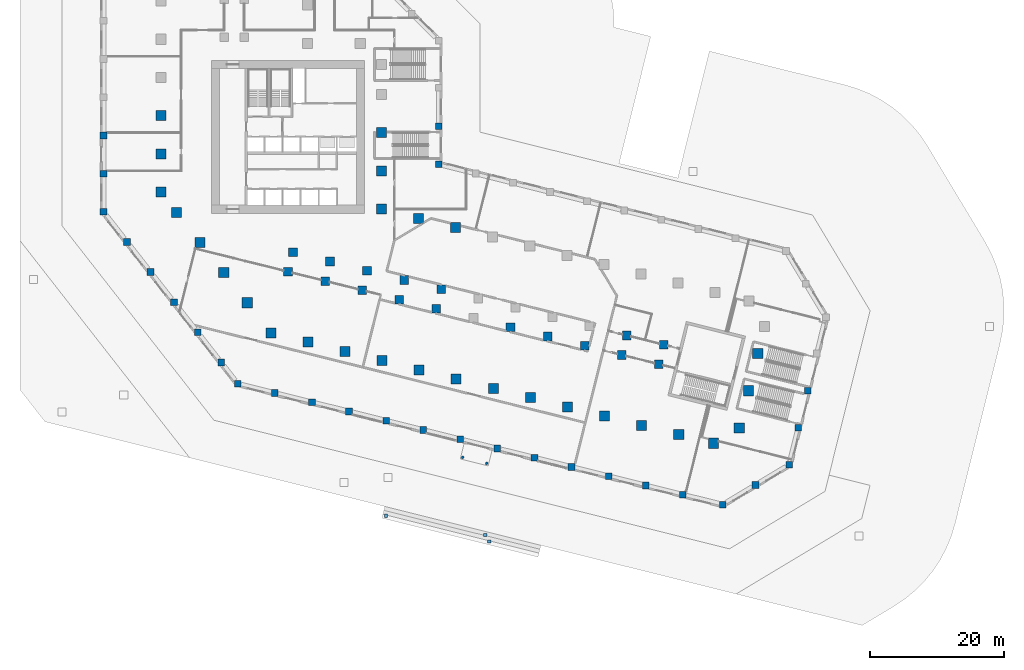
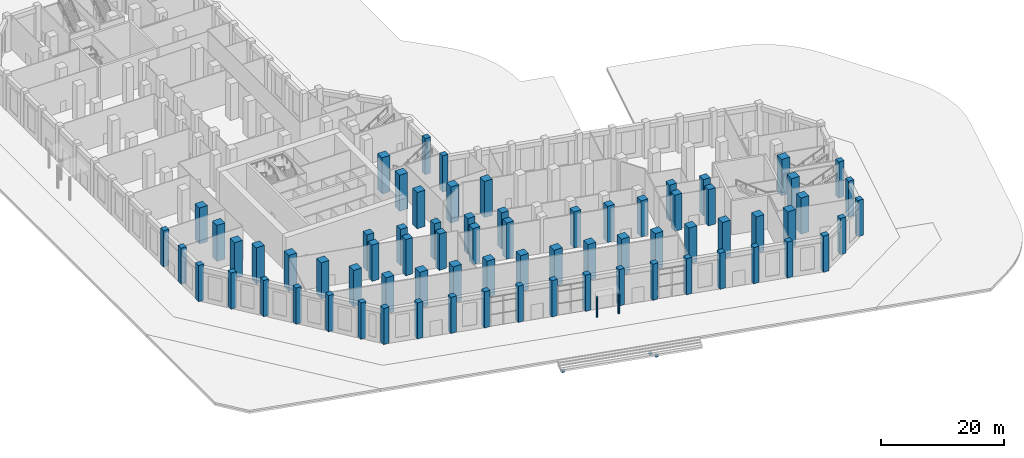
# One storey, part 2 of 27: 75 columns, 3 footings.
"""IFC4 building model written with IfcOpenShell, lengths in metres."""

from ifc_helpers import new_model, si_unit, direction, frame, origin, origin_2d, place, context, subcontext, project, spatial, polyline, rectangle, circle, outline, extrude, material, layer, layer_set, material_profile, profile_set, type_object, element, save


model = new_model("IFC4")

# Units and contexts
model_context = context("Model", 3, precision=1e-05, world=origin(), true_north=direction((0.0, 1.0)))
body_context = subcontext(model_context, "Body", "Model", "MODEL_VIEW")
ifc_project = project(units=[si_unit("LENGTHUNIT", "METRE"), si_unit("AREAUNIT", "SQUARE_METRE"), si_unit("VOLUMEUNIT", "CUBIC_METRE"), si_unit("PLANEANGLEUNIT", "RADIAN"), si_unit("MASSUNIT", "GRAM", prefix="KILO")], contexts=[model_context])

# Site, building, storey
site_placement = place(None, origin())
site = spatial("IfcSite", under=ifc_project, at=site_placement, CompositionType="ELEMENT")
building_placement = place(site_placement, origin())
building = spatial("IfcBuilding", under=site, at=building_placement, Name="Meshkara Civic Tower", CompositionType="ELEMENT")
storey_placement = place(building_placement, origin())
storey = spatial("IfcBuildingStorey", under=building, at=storey_placement, Name="L00", CompositionType="ELEMENT", Elevation=0.0)

# Footings
ifc_material_1 = material(Name="Concrete C40", Category="concrete")
ifc_layer = layer(ifc_material_1, 0.39990234375)
ifc_layer_set = layer_set([ifc_layer], Name="GROUND FOOTING PAD 400")
footing_type = type_object("IfcFootingType", Name="GROUND FOOTING PAD 400", PredefinedType="PAD_FOOTING", material=ifc_layer_set)
footing_1_placement = place(storey_placement, frame((0.0, 0.0, -1.64990234375)))
element("IfcFooting", 1, at=footing_1_placement, inside=storey, type_object=footing_type, Name="Waterside steps footing", PredefinedType="PAD_FOOTING", context=body_context, shape_type="SweptSolid", body=[
    extrude(outline(polyline([(33.773193359375, -31.251953125), (34.273193359375, -31.251953125), (34.273193359375, -30.751953125), (33.773193359375, -30.751953125), (33.773193359375, -31.251953125)])), origin(), (0.0, 0.0, 1.0), 0.39990234375),
])
footing_2_placement = place(storey_placement, frame((0.0, 0.0, -1.64990234375)))
element("IfcFooting", 2, at=footing_2_placement, inside=storey, type_object=footing_type, Name="Waterside steps footing", PredefinedType="PAD_FOOTING", context=body_context, shape_type="SweptSolid", body=[
    extrude(outline(polyline([(48.585693359375, -34.12060546875), (49.085693359375, -34.12060546875), (49.085693359375, -33.62060546875), (48.585693359375, -33.62060546875), (48.585693359375, -34.12060546875)])), origin(), (0.0, 0.0, 1.0), 0.39990234375),
])
footing_3_placement = place(storey_placement, frame((0.0, 0.0, -1.64990234375)))
element("IfcFooting", 3, at=footing_3_placement, inside=storey, type_object=footing_type, Name="Waterside steps footing", PredefinedType="PAD_FOOTING", context=body_context, shape_type="SweptSolid", body=[
    extrude(outline(polyline([(49.16845703125, -35.09033203125), (49.66845703125, -35.09033203125), (49.66845703125, -34.59033203125), (49.16845703125, -34.59033203125), (49.16845703125, -35.09033203125)])), origin(), (0.0, 0.0, 1.0), 0.39990234375),
])

# Columns
ifc_material_2 = material(Name="Concrete C40/50", Category="concrete")
ifc_material_profile_1 = material_profile(ifc_material_2, circle(Radius=0.199951171875, at=origin_2d()))
ifc_profile_set_1 = profile_set([ifc_material_profile_1], Name="Concrete C40/50")
column_type_1 = type_object("IfcColumnType", Name="Canopy post RC D400 C40/50", PredefinedType="COLUMN", material=ifc_profile_set_1)
for number, where, z_axis, x_axis, name in (
    (4, (45.46923828125, -22.31298828125, 0.0), (0.0, 0.0, 1.0), (1.0, 0.0, 0.0), "Canopy post"),
    (5, (49.0478515625, -23.205078125, 0.0), (0.0, 0.0, 1.0), (1.0, 0.0, 0.0), "Canopy post"),
):
    element("IfcColumn", number, at=place(storey_placement, frame(where, z_axis=z_axis, x_axis=x_axis)), inside=storey, type_object=column_type_1, Name=name, PredefinedType="COLUMN", context=body_context, shape_type="SweptSolid", body=[
        extrude(circle(Radius=0.199951171875, at=origin_2d()), origin(), (0.0, 0.0, 1.0), 4.0),
    ])
ifc_material_3 = material(Name="Concrete C80", Category="concrete")
ifc_material_profile_2 = material_profile(ifc_material_3, rectangle(XDim=1.300048828125, YDim=1.300048828125, at=origin_2d()))
ifc_profile_set_2 = profile_set([ifc_material_profile_2], Name="Concrete C80")
column_type_2 = type_object("IfcColumnType", Name="Interior column RC 1300x1300 C80", PredefinedType="COLUMN", material=ifc_profile_set_2)
for number, where, z_axis, x_axis, name in (
    (6, (19.424072265625, 5.360107421875, 0.0), (0.0, 0.0, 1.0), (1.0, 0.0, 0.0), "Column SB1-00 L00"),
    (7, (24.9541015625, 3.98095703125, 0.0), (0.0, 0.0, 1.0), (1.0, 0.0, 0.0), "Column SB1-01 L00"),
    (8, (30.485107421875, 2.60205078125, 0.0), (0.0, 0.0, 1.0), (1.0, 0.0, 0.0), "Column SB1-02 L00"),
    (9, (36.01611328125, 1.222900390625, 0.0), (0.0, 0.0, 1.0), (1.0, 0.0, 0.0), "Column SB1-03 L00"),
    (10, (41.5458984375, -0.156005859375, 0.0), (0.0, 0.0, 1.0), (1.0, 0.0, 0.0), "Column SB1-04 L00"),
    (11, (52.60791015625, -2.9140625, 0.0), (0.0, 0.0, 1.0), (1.0, 0.0, 0.0), "Column SB1-06 L00"),
    (12, (58.138916015625, -4.2919921875, 0.0), (0.0, 0.0, 1.0), (1.0, 0.0, 0.0), "Column SB1-07 L00"),
    (13, (63.6689453125, -5.6708984375, 0.0), (0.0, 0.0, 1.0), (1.0, 0.0, 0.0), "Column SB1-08 L00"),
    (14, (69.199951171875, -7.050048828125, 0.0), (0.0, 0.0, 1.0), (1.0, 0.0, 0.0), "Column SB1-09 L00"),
    (15, (74.73095703125, -8.428955078125, 0.0), (0.0, 0.0, 1.0), (1.0, 0.0, 0.0), "Column SB1-10 L00"),
    (16, (20.14892578125, 8.27099609375, 0.0), (0.0, 0.0, 1.0), (1.0, 0.0, 0.0), "Column SB2-00 L00"),
    (17, (25.679931640625, 6.89208984375, 0.0), (0.0, 0.0, 1.0), (1.0, 0.0, 0.0), "Column SB2-01 L00"),
    (18, (31.2109375, 5.512939453125, 0.0), (0.0, 0.0, 1.0), (1.0, 0.0, 0.0), "Column SB2-02 L00"),
    (19, (36.741943359375, 4.134033203125, 0.0), (0.0, 0.0, 1.0), (1.0, 0.0, 0.0), "Column SB2-03 L00"),
    (20, (42.27197265625, 2.7548828125, 0.0), (0.0, 0.0, 1.0), (1.0, 0.0, 0.0), "Column SB2-04 L00"),
    (21, (69.926025390625, -4.139892578125, 0.0), (0.0, 0.0, 1.0), (1.0, 0.0, 0.0), "Column SB2-09 L00"),
    (22, (75.4560546875, -5.51806640625, 0.0), (0.0, 0.0, 1.0), (1.0, 0.0, 0.0), "Column SB2-10 L00"),
):
    element("IfcColumn", number, at=place(storey_placement, frame(where, z_axis=z_axis, x_axis=x_axis)), inside=storey, type_object=column_type_2, Name=name, PredefinedType="COLUMN", context=body_context, shape_type="SweptSolid", body=[
        extrude(rectangle(XDim=1.300048828125, YDim=1.300048828125, at=origin_2d()), origin(), (0.0, 0.0, 1.0), 7.199951171875),
    ])
ifc_material_4 = material(Name="Concrete C80", Category="concrete")
ifc_material_profile_3 = material_profile(ifc_material_4, rectangle(XDim=1.5, YDim=1.5, at=origin_2d()))
ifc_profile_set_3 = profile_set([ifc_material_profile_3], Name="Concrete C80")
column_type_3 = type_object("IfcColumnType", Name="Perimeter column RC 1500x1500 C80", PredefinedType="COLUMN", material=ifc_profile_set_3)
for number, where, z_axis, x_axis, name in (
    (23, (33.35009765625, 14.718994140625, 0.0), (0.0, 0.0, 1.0), (1.0, 0.0, 0.0), "Column HE00 L00"),
    (24, (33.35009765625, 20.4189453125, 0.0), (0.0, 0.0, 1.0), (1.0, 0.0, 0.0), "Column HE01 L00"),
    (25, (33.35009765625, 26.118896484375, 0.0), (0.0, 0.0, 1.0), (1.0, 0.0, 0.0), "Column HE02 L00"),
    (26, (0.449951171875, 17.2548828125, 0.0), (0.0, 0.0, 1.0), (1.0, 0.0, 0.0), "Column AW00 L00"),
    (27, (0.449951171875, 22.955078125, 0.0), (0.0, 0.0, 1.0), (1.0, 0.0, 0.0), "Column AW01 L00"),
    (28, (0.449951171875, 28.655029296875, 0.0), (0.0, 0.0, 1.0), (1.0, 0.0, 0.0), "Column AW02 L00"),
    (29, (16.85107421875, -3.738037109375, 0.0), (0.0, 0.0, 1.0), (1.0, 0.0, 0.0), "Column BOW00 L00"),
    (30, (13.342041015625, 0.75390625, 0.0), (0.0, 0.0, 1.0), (1.0, 0.0, 0.0), "Column BOW01 L00"),
    (31, (9.8330078125, 5.2451171875, 0.0), (0.0, 0.0, 1.0), (1.0, 0.0, 0.0), "Column BOW02 L00"),
    (32, (6.322998046875, 9.737060546875, 0.0), (0.0, 0.0, 1.0), (1.0, 0.0, 0.0), "Column BOW03 L00"),
    (33, (2.81396484375, 14.22900390625, 0.0), (0.0, 0.0, 1.0), (1.0, 0.0, 0.0), "Column BOW04 L00"),
    (34, (22.382080078125, -5.116943359375, 0.0), (0.0, 0.0, 1.0), (1.0, 0.0, 0.0), "Column BS01 L00"),
    (35, (27.912109375, -6.49609375, 0.0), (0.0, 0.0, 1.0), (1.0, 0.0, 0.0), "Column BS02 L00"),
    (36, (33.443115234375, -7.875, 0.0), (0.0, 0.0, 1.0), (1.0, 0.0, 0.0), "Column BS03 L00"),
    (37, (38.97412109375, -9.25390625, 0.0), (0.0, 0.0, 1.0), (1.0, 0.0, 0.0), "Column BS04 L00"),
    (38, (44.5048828125, -10.632080078125, 0.0), (0.0, 0.0, 1.0), (1.0, 0.0, 0.0), "Column BS05 L00"),
    (39, (50.034912109375, -12.010986328125, 0.0), (0.0, 0.0, 1.0), (1.0, 0.0, 0.0), "Column BS06 L00"),
    (40, (55.56591796875, -13.389892578125, 0.0), (0.0, 0.0, 1.0), (1.0, 0.0, 0.0), "Column BS07 L00"),
    (41, (61.096923828125, -14.76904296875, 0.0), (0.0, 0.0, 1.0), (1.0, 0.0, 0.0), "Column BS08 L00"),
    (42, (66.626953125, -16.14794921875, 0.0), (0.0, 0.0, 1.0), (1.0, 0.0, 0.0), "Column BS09 L00"),
    (43, (72.157958984375, -17.527099609375, 0.0), (0.0, 0.0, 1.0), (1.0, 0.0, 0.0), "Column BS10 L00"),
    (44, (77.68896484375, -18.906005859375, 0.0), (0.0, 0.0, 1.0), (1.0, 0.0, 0.0), "Column BS11 L00"),
    (45, (82.887939453125, -20.201904296875, 0.0), (0.0, 0.0, 1.0), (1.0, 0.0, 0.0), "Column BSE L00"),
    (46, (86.714111328125, -17.903076171875, 0.0), (0.0, 0.0, 1.0), (1.0, 0.0, 0.0), "Column BToE L00"),
    (47, (88.093017578125, -12.3720703125, 0.0), (0.0, 0.0, 1.0), (1.0, 0.0, 0.0), "Column BT01 L00"),
    (48, (89.471923828125, -6.842041015625, 0.0), (0.0, 0.0, 1.0), (1.0, 0.0, 0.0), "Column BT02 L00"),
    (49, (38.881103515625, 13.340087890625, 0.0), (0.0, 0.0, 1.0), (1.0, 0.0, 0.0), "Column BN01 L00"),
    (50, (44.410888671875, 11.9609375, 0.0), (0.0, 0.0, 1.0), (1.0, 0.0, 0.0), "Column BN02 L00"),
):
    element("IfcColumn", number, at=place(storey_placement, frame(where, z_axis=z_axis, x_axis=x_axis)), inside=storey, type_object=column_type_3, Name=name, PredefinedType="COLUMN", context=body_context, shape_type="SweptSolid", body=[
        extrude(rectangle(XDim=1.5, YDim=1.5, at=origin_2d()), origin(), (0.0, 0.0, 1.0), 7.199951171875),
    ])
ifc_material_5 = material(Name="Concrete C60", Category="concrete")
ifc_material_profile_4 = material_profile(ifc_material_5, rectangle(XDim=1.0, YDim=1.0, at=origin_2d()))
ifc_profile_set_4 = profile_set([ifc_material_profile_4], Name="Concrete C60")
column_type_4 = type_object("IfcColumnType", Name="Podium edge column RC 1000x1000 C60", PredefinedType="COLUMN", material=ifc_profile_set_4)
for number, where, z_axis, x_axis, name in (
    (51, (-8.10009765625, 14.31103515625, 0.0), (0.0, 0.0, 1.0), (1.0, 0.0, 0.0), "Column PD02-00 L00"),
    (52, (-8.10009765625, 20.010986328125, 0.0), (0.0, 0.0, 1.0), (1.0, 0.0, 0.0), "Column PD02-01 L00"),
    (53, (-8.10009765625, 25.7109375, 0.0), (0.0, 0.0, 1.0), (1.0, 0.0, 0.0), "Column PD02-02 L00"),
    (54, (-4.591064453125, 9.819091796875, 0.0), (0.0, 0.0, 1.0), (1.0, 0.0, 0.0), "Column PD03-01 L00"),
    (55, (-1.08203125, 5.327880859375, 0.0), (0.0, 0.0, 1.0), (1.0, 0.0, 0.0), "Column PD03-02 L00"),
    (56, (2.427978515625, 0.8359375, 0.0), (0.0, 0.0, 1.0), (1.0, 0.0, 0.0), "Column PD03-03 L00"),
    (57, (5.93701171875, -3.656005859375, 0.0), (0.0, 0.0, 1.0), (1.0, 0.0, 0.0), "Column PD03-04 L00"),
    (58, (9.446044921875, -8.14794921875, 0.0), (0.0, 0.0, 1.0), (1.0, 0.0, 0.0), "Column PD03-05 L00"),
    (59, (11.926025390625, -11.322021484375, 0.0), (0.0, 0.0, 1.0), (1.0, 0.0, 0.0), "Column PD03-E L00"),
    (60, (17.45703125, -12.700927734375, 0.0), (0.0, 0.0, 1.0), (1.0, 0.0, 0.0), "Column PD04-01 L00"),
    (61, (22.987060546875, -14.080078125, 0.0), (0.0, 0.0, 1.0), (1.0, 0.0, 0.0), "Column PD04-02 L00"),
    (62, (28.51806640625, -15.458984375, 0.0), (0.0, 0.0, 1.0), (1.0, 0.0, 0.0), "Column PD04-03 L00"),
    (63, (34.049072265625, -16.837890625, 0.0), (0.0, 0.0, 1.0), (1.0, 0.0, 0.0), "Column PD04-04 L00"),
    (64, (39.580078125, -18.216064453125, 0.0), (0.0, 0.0, 1.0), (1.0, 0.0, 0.0), "Column PD04-05 L00"),
    (65, (45.110107421875, -19.594970703125, 0.0), (0.0, 0.0, 1.0), (1.0, 0.0, 0.0), "Column PD04-06 L00"),
    (66, (50.64111328125, -20.97412109375, 0.0), (0.0, 0.0, 1.0), (1.0, 0.0, 0.0), "Column PD04-07 L00"),
    (67, (56.172119140625, -22.35302734375, 0.0), (0.0, 0.0, 1.0), (1.0, 0.0, 0.0), "Column PD04-08 L00"),
    (68, (61.701904296875, -23.73193359375, 0.0), (0.0, 0.0, 1.0), (1.0, 0.0, 0.0), "Column PD04-09 L00"),
    (69, (67.23291015625, -25.111083984375, 0.0), (0.0, 0.0, 1.0), (1.0, 0.0, 0.0), "Column PD04-10 L00"),
    (70, (72.763916015625, -26.489990234375, 0.0), (0.0, 0.0, 1.0), (1.0, 0.0, 0.0), "Column PD04-11 L00"),
    (71, (78.2939453125, -27.868896484375, 0.0), (0.0, 0.0, 1.0), (1.0, 0.0, 0.0), "Column PD04-12 L00"),
    (72, (84.256103515625, -29.35498046875, 0.0), (0.0, 0.0, 1.0), (1.0, 0.0, 0.0), "Column PD04-E L00"),
    (73, (89.14208984375, -26.4189453125, 0.0), (0.0, 0.0, 1.0), (1.0, 0.0, 0.0), "Column PD05-01 L00"),
    (74, (94.153076171875, -23.407958984375, 0.0), (0.0, 0.0, 1.0), (1.0, 0.0, 0.0), "Column PD05-E L00"),
    (75, (95.531982421875, -17.876953125, 0.0), (0.0, 0.0, 1.0), (1.0, 0.0, 0.0), "Column PD06-01 L00"),
    (76, (96.910888671875, -12.346923828125, 0.0), (0.0, 0.0, 1.0), (1.0, 0.0, 0.0), "Column PD06-02 L00"),
    (77, (41.89990234375, 21.39892578125, 0.0), (0.0, 0.0, 1.0), (1.0, 0.0, 0.0), "Column PD08-00 L00"),
    (78, (41.89990234375, 27.09912109375, 0.0), (0.0, 0.0, 1.0), (1.0, 0.0, 0.0), "Column PD09-01 L00"),
):
    element("IfcColumn", number, at=place(storey_placement, frame(where, z_axis=z_axis, x_axis=x_axis)), inside=storey, type_object=column_type_4, Name=name, PredefinedType="COLUMN", context=body_context, shape_type="SweptSolid", body=[
        extrude(rectangle(XDim=1.0, YDim=1.0, at=origin_2d()), origin(), (0.0, 0.0, 1.0), 7.199951171875),
    ])

save(model, "model.ifc")
